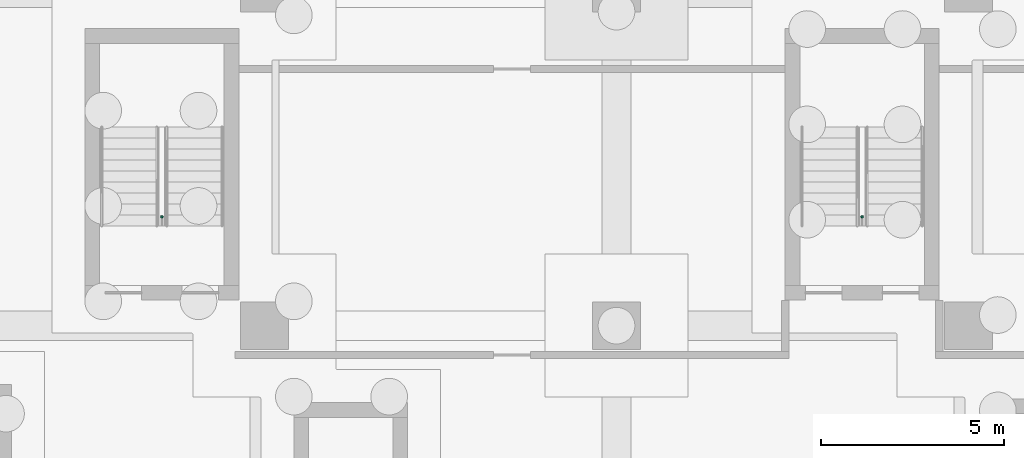
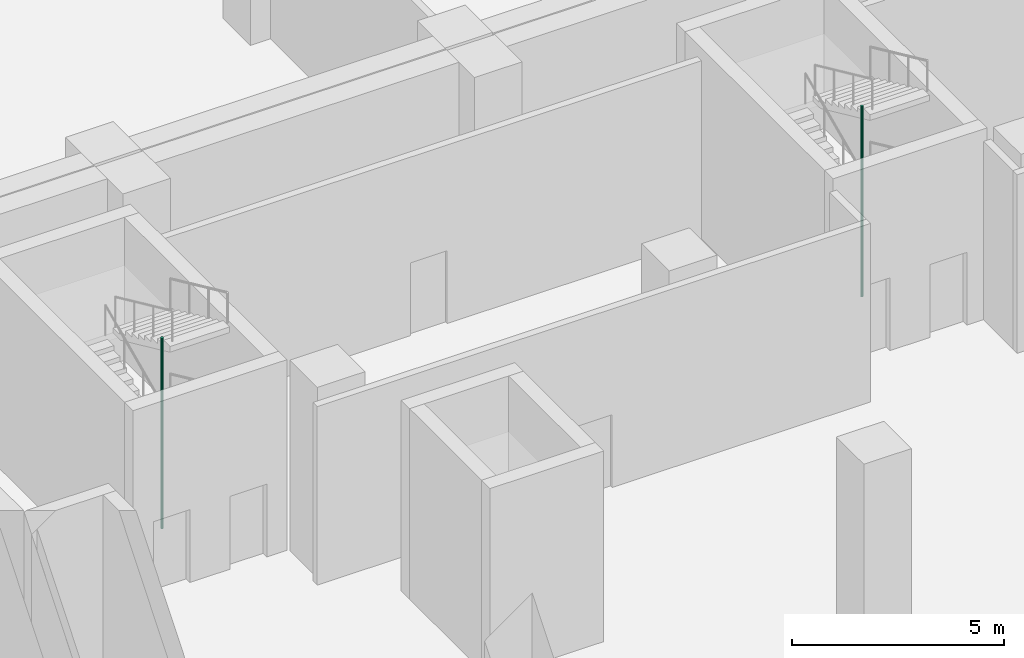
# One storey, part 22 of 33: 2 pipe segments.
"""IFC4 building model written with IfcOpenShell, lengths in metres."""

import ifcopenshell
import ifcopenshell.guid

model = None  # the IFC model being written
_history = None  # IfcOwnerHistory: only IFC2X3 demands one
_inside = {}  # id of a spatial element -> (the spatial element, [elements in it])
_under = {}  # id of a project, library or spatial element -> (it, [spatial elements below it])
_declared = {}  # id of a project -> (the project, [libraries it declares])
_typed = {}  # id of a type object -> (the type object, [elements of that type])
_made_of = {}  # id of a material, layer set ... -> (it, [elements and type objects made of it])


def new_model(schema):
    """Start an empty IFC model of exactly this schema.

    Asked for "IFC4X3", IfcOpenShell would pick the latest addendum, in which some entities
    have other attributes; the version numbers below select the first issue.
    IFC2X3 requires an IfcOwnerHistory on every rooted entity: one is made here for all.
    """
    global model, _history
    if schema == "IFC4X3":
        model = ifcopenshell.file(schema_version=(4, 3, 0, 0))
    else:
        model = ifcopenshell.file(schema=schema)
    _inside.clear()
    _under.clear()
    _declared.clear()
    _typed.clear()
    _made_of.clear()
    _history = None
    if model.schema == "IFC2X3":
        org = make("IfcOrganization", Name="unknown")
        user = make(
            "IfcPersonAndOrganization",
            ThePerson=make("IfcPerson", FamilyName="unknown"),
            TheOrganization=org,
        )
        app = make(
            "IfcApplication",
            ApplicationDeveloper=org,
            Version="unknown",
            ApplicationFullName="unknown",
            ApplicationIdentifier="unknown",
        )
        _history = make(
            "IfcOwnerHistory",
            OwningUser=user,
            OwningApplication=app,
            ChangeAction="ADDED",
            CreationDate=0,
        )
    return model


def make(cls, **values):
    """One entity of the class cls with the attributes given. An attribute that is None is left unset."""
    return model.create_entity(
        cls, **{name: value for name, value in values.items() if value is not None}
    )


def rooted(cls, **values):
    """An entity with a GlobalId (a new one), such as an element, a storey or a relation."""
    return make(cls, GlobalId=ifcopenshell.guid.new(), OwnerHistory=_history, **values)


def si_unit(unit_type, name, prefix=None):
    """IfcSIUnit, for example si_unit("LENGTHUNIT", "METRE", prefix="MILLI")."""
    return make("IfcSIUnit", UnitType=unit_type, Prefix=prefix, Name=name)


def assignment(units):
    """IfcUnitAssignment: the units of a project."""
    return None if units is None else make("IfcUnitAssignment", Units=units)


def point(xyz):
    """IfcCartesianPoint."""
    return None if xyz is None else make("IfcCartesianPoint", Coordinates=xyz)


def direction(xyz):
    """IfcDirection."""
    return None if xyz is None else make("IfcDirection", DirectionRatios=xyz)


def frame(location, z_axis=None, x_axis=None):
    """IfcAxis2Placement3D, a coordinate frame: its origin and axes. An axis left out is left unset."""
    return make(
        "IfcAxis2Placement3D",
        Location=point(location),
        Axis=direction(z_axis),
        RefDirection=direction(x_axis),
    )


def frame_2d(location, x_axis=None):
    """IfcAxis2Placement2D, a coordinate frame in the plane: its origin and x axis."""
    return make(
        "IfcAxis2Placement2D", Location=point(location), RefDirection=direction(x_axis)
    )


def origin():
    """The frame at (0, 0, 0) with its axes left unset."""
    return frame((0.0, 0.0, 0.0))


def origin_2d():
    """The frame at (0, 0) in the plane with its x axis left unset."""
    return frame_2d((0.0, 0.0))


def place(relative_to, where):
    """IfcLocalPlacement: puts the frame where relative to a parent placement (None: the world)."""
    return make(
        "IfcLocalPlacement", PlacementRelTo=relative_to, RelativePlacement=where
    )


def context(
    kind, dimensions, precision=None, world=None, true_north=None, identifier=None
):
    """IfcGeometricRepresentationContext, for example the 3D "Model" context."""
    return make(
        "IfcGeometricRepresentationContext",
        ContextIdentifier=identifier,
        ContextType=kind,
        CoordinateSpaceDimension=dimensions,
        Precision=precision,
        WorldCoordinateSystem=world,
        TrueNorth=true_north,
    )


def subcontext(parent, identifier, kind, view, scale=None):
    """IfcGeometricRepresentationSubContext, for example "Body" below "Model"."""
    return make(
        "IfcGeometricRepresentationSubContext",
        ContextIdentifier=identifier,
        ContextType=kind,
        ParentContext=parent,
        TargetScale=scale,
        TargetView=view,
    )


def project(units=None, contexts=None):
    """IfcProject with its units and contexts."""
    return rooted(
        "IfcProject",
        Name="project",
        RepresentationContexts=contexts,
        UnitsInContext=assignment(units),
    )


def spatial(cls, under=None, at=None, **own):
    """A site, building, storey or space (cls), placed at a placement, below another one or the project."""
    s = rooted(cls, ObjectPlacement=at, **own)
    if under is not None:
        _under.setdefault(under.id(), (under, []))[1].append(s)
    return s


def profile(cls, at=None, kind="AREA", **sizes):
    """A parametric profile (cls). Its sizes go by their IFC names, for example OverallWidth=200.0."""
    return make(cls, ProfileType=kind, Position=at, **sizes)


def circle(**sizes):
    """IfcCircleProfileDef."""
    return profile("IfcCircleProfileDef", **sizes)


def extrude(swept, where, along, depth):
    """IfcExtrudedAreaSolid: the profile swept, set in the frame where, extruded along a direction by depth."""
    return make(
        "IfcExtrudedAreaSolid",
        SweptArea=swept,
        Position=where,
        ExtrudedDirection=direction(along),
        Depth=depth,
    )


def shape(context_of_items, identifier, shape_type, items):
    """IfcShapeRepresentation: the items that make up one representation, for example the "Body"."""
    return make(
        "IfcShapeRepresentation",
        ContextOfItems=context_of_items,
        RepresentationIdentifier=identifier,
        RepresentationType=shape_type,
        Items=items,
    )


def made_of(thing, what):
    """Note that an element or type object is made of a material, layer set ...; save() writes the relation."""
    if what is not None:
        _made_of.setdefault(what.id(), (what, []))[1].append(thing)
    return thing


def element(
    cls,
    number,
    at=None,
    inside=None,
    cuts=None,
    type_object=None,
    material=None,
    context=None,
    identifier="Body",
    shape_type=None,
    held_by="IfcProductDefinitionShape",
    body=None,
    shapes=None,
    **own,
):
    """One element of the class cls, such as IfcWall. Its Tag is "e" and its number.

    at: its placement. inside: the storey or other place that contains it. cuts: it is an
    opening in that element (IfcRelVoidsElement). A single representation is given by context,
    identifier, shape_type and body (its items); several are given by shapes. held_by: the class
    of the entity that holds the representations. save() writes the other relations.
    """
    e = rooted(cls, Tag="e%d" % number, ObjectPlacement=at, **own)
    if body is not None:
        shapes = [shape(context, identifier, shape_type, body)]
    if shapes is not None:
        e.Representation = make(held_by, Representations=shapes)
    if inside is not None:
        _inside.setdefault(inside.id(), (inside, []))[1].append(e)
    if cuts is not None:
        rooted(
            "IfcRelVoidsElement", RelatingBuildingElement=cuts, RelatedOpeningElement=e
        )
    if type_object is not None:
        _typed.setdefault(type_object.id(), (type_object, []))[1].append(e)
    return made_of(e, material)


def aggregate(whole, parts):
    """IfcRelAggregates: a whole, such as a stair, and the parts it consists of."""
    return rooted("IfcRelAggregates", RelatingObject=whole, RelatedObjects=parts)


def save(model, path):
    """Write the relations noted so far, then the file.

    IfcRelAggregates (storeys below a building ...), IfcRelContainedInSpatialStructure (elements
    in a storey), IfcRelDefinesByType, IfcRelAssociatesMaterial and IfcRelDeclares: one each for
    every whole, place, type object, material and project.
    """
    for whole, parts in _under.values():
        aggregate(whole, parts)
    for where, things in _inside.values():
        rooted(
            "IfcRelContainedInSpatialStructure",
            RelatedElements=things,
            RelatingStructure=where,
        )
    for kind, things in _typed.values():
        rooted("IfcRelDefinesByType", RelatedObjects=things, RelatingType=kind)
    for what, things in _made_of.values():
        rooted("IfcRelAssociatesMaterial", RelatedObjects=things, RelatingMaterial=what)
    for by, libraries in _declared.values():
        rooted("IfcRelDeclares", RelatingContext=by, RelatedDefinitions=libraries)
    model.write(path)


model = new_model("IFC4")

# Units and contexts
model_context = context("Model", 3, precision=1e-05, world=origin(), true_north=direction((0.0, 1.0)))
body_context = subcontext(model_context, "Body", "Model", "MODEL_VIEW")
ifc_project = project(units=[si_unit("LENGTHUNIT", "METRE"), si_unit("AREAUNIT", "SQUARE_METRE"), si_unit("VOLUMEUNIT", "CUBIC_METRE"), si_unit("PLANEANGLEUNIT", "RADIAN"), si_unit("MASSUNIT", "GRAM", prefix="KILO")], contexts=[model_context])

# Site, building, storey
site_placement = place(None, origin())
site = spatial("IfcSite", under=ifc_project, at=site_placement, CompositionType="ELEMENT")
building_placement = place(site_placement, origin())
building = spatial("IfcBuilding", under=site, at=building_placement, Name="Nzadi Deep Aquarium and Research Tower", CompositionType="ELEMENT")
storey_placement = place(building_placement, frame((0.0, 0.0, -5.5)))
storey = spatial("IfcBuildingStorey", under=building, at=storey_placement, Name="B1", CompositionType="ELEMENT", Elevation=-5.5)

# Pipe segments
for number, where, z_axis, x_axis, name in (
    (1, (6.800048828125, 39.77001953125, 0.0), (0.0, 0.0, 1.0), (1.0, 0.0, 0.0), "Dry riser ST-Z1-NW B1"),
    (2, (25.89990234375, 39.77001953125, 0.0), (0.0, 0.0, 1.0), (1.0, 0.0, 0.0), "Dry riser ST-Z1-NE B1"),
):
    element("IfcPipeSegment", number, at=place(storey_placement, frame(where, z_axis=z_axis, x_axis=x_axis)), inside=storey, Name=name, PredefinedType="RIGIDSEGMENT", context=body_context, shape_type="SweptSolid", body=[
        extrude(circle(Radius=0.034912109375, at=origin_2d()), origin(), (0.0, 0.0, 1.0), 5.5),
    ])

save(model, "model.ifc")
